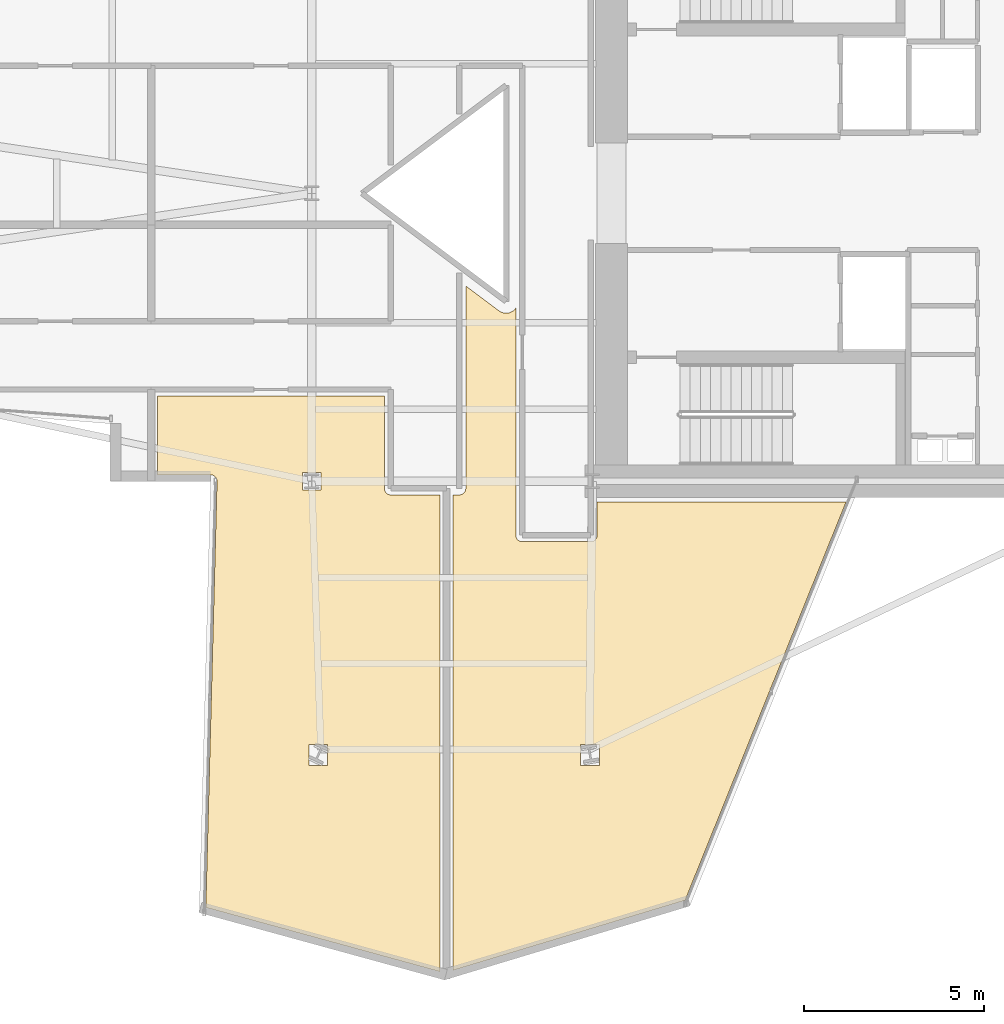
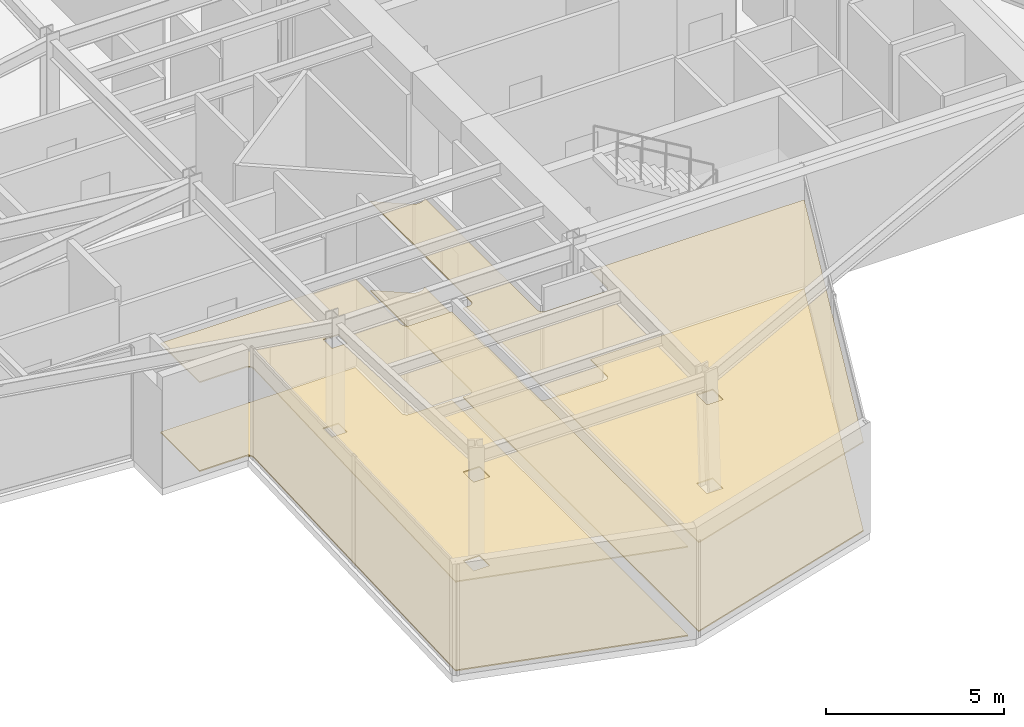
# One storey, part 30 of 31: 4 coverings.
"""IFC4 building model written with IfcOpenShell, lengths in metres."""

from ifc_helpers import new_model, si_unit, direction, frame, origin, place, context, subcontext, project, spatial, polyline, outline, extrude, material, layer, layer_set, type_object, element, save


model = new_model("IFC4")

# Units and contexts
model_context = context("Model", 3, precision=1e-05, world=origin(), true_north=direction((0.0, 1.0)))
body_context = subcontext(model_context, "Body", "Model", "MODEL_VIEW")
ifc_project = project(units=[si_unit("LENGTHUNIT", "METRE"), si_unit("AREAUNIT", "SQUARE_METRE"), si_unit("VOLUMEUNIT", "CUBIC_METRE"), si_unit("PLANEANGLEUNIT", "RADIAN"), si_unit("MASSUNIT", "GRAM", prefix="KILO")], contexts=[model_context])

# Site, building, storey
site_placement = place(None, origin())
site = spatial("IfcSite", under=ifc_project, at=site_placement, CompositionType="ELEMENT")
building_placement = place(site_placement, origin())
building = spatial("IfcBuilding", under=site, at=building_placement, Name="Veymaron Broadcast Tower", CompositionType="ELEMENT")
storey_placement = place(building_placement, frame((0.0, 0.0, 70.199951171875)))
storey = spatial("IfcBuildingStorey", under=building, at=storey_placement, Name="L15", CompositionType="ELEMENT", Elevation=70.199951171875)

# Coverings
ifc_material_1 = material(Name="Perforated acoustic mineral-fibre ceiling tile", Category="gypsum")
ifc_layer_1 = layer(ifc_material_1, 0.0400390625)
ifc_layer_set_1 = layer_set([ifc_layer_1], Name="Perforated acoustic mineral-fibre ceiling tile")
covering_type_1 = type_object("IfcCoveringType", Name="COV-CEIL-ACT", PredefinedType="CEILING", material=ifc_layer_set_1)
covering_1_placement = place(storey_placement, frame((0.0, 0.0, 3.0400390625)))
element("IfcCovering", 1, at=covering_1_placement, inside=storey, type_object=covering_type_1, Name="L15 suspended acoustic ceiling 1", PredefinedType="CEILING", context=body_context, shape_type="SweptSolid", body=[
    extrude(outline(polyline([(28.440185546875, 16.172119140625), (28.422607421875, 16.176513671875), (28.40478515625, 16.17919921875), (28.386962890625, 16.179931640625), (26.91796875, 16.179931640625), (26.91796875, 18.3701171875), (33.219970703125, 18.3701171875), (33.219970703125, 15.800048828125), (33.220947265625, 15.782470703125), (33.223388671875, 15.764892578125), (33.227783203125, 15.747802734375), (33.233642578125, 15.731201171875), (33.2412109375, 15.715087890625), (33.250244140625, 15.699951171875), (33.260986328125, 15.685791015625), (33.272705078125, 15.672607421875), (33.285888671875, 15.660888671875), (33.300048828125, 15.650390625), (33.315185546875, 15.641357421875), (33.3310546875, 15.6337890625), (33.34765625, 15.627685546875), (33.364990234375, 15.62353515625), (33.38232421875, 15.620849609375), (33.39990234375, 15.6201171875), (34.760986328125, 15.6201171875), (34.760986328125, 2.371337890625), (28.25537109375, 4.1552734375), (28.56689453125, 15.995361328125), (28.56640625, 16.01318359375), (28.564208984375, 16.031005859375), (28.560302734375, 16.048583984375), (28.5546875, 16.065673828125), (28.54736328125, 16.08203125), (28.538330078125, 16.097412109375), (28.52783203125, 16.112060546875), (28.515869140625, 16.12548828125), (28.502685546875, 16.1376953125), (28.488525390625, 16.148681640625), (28.47314453125, 16.157958984375), (28.45703125, 16.165771484375), (28.440185546875, 16.172119140625)]), holes=[polyline([(31.1201171875, 8.677001953125), (31.1201171875, 8.10302734375), (31.64404296875, 8.10302734375), (31.64404296875, 8.677001953125), (31.1201171875, 8.677001953125)]), polyline([(30.949462890625, 16.24951171875), (30.949462890625, 15.75048828125), (31.450439453125, 15.75048828125), (31.450439453125, 16.24951171875), (30.949462890625, 16.24951171875)])]), origin(), (0.0, 0.0, 1.0), 0.0400390625),
])
covering_2_placement = place(storey_placement, frame((0.0, 0.0, 3.0400390625)))
element("IfcCovering", 2, at=covering_2_placement, inside=storey, type_object=covering_type_1, Name="L15 suspended acoustic ceiling 2", PredefinedType="CEILING", context=body_context, shape_type="SweptSolid", body=[
    extrude(outline(polyline([(35.4765625, 15.764892578125), (35.47900390625, 15.782470703125), (35.47998046875, 15.800048828125), (35.47998046875, 21.427490234375), (36.402099609375, 20.736083984375), (36.4091796875, 20.73095703125), (36.4208984375, 20.722900390625), (36.435791015625, 20.7138671875), (36.448486328125, 20.70703125), (36.464111328125, 20.699462890625), (36.477294921875, 20.693603515625), (36.49365234375, 20.687744140625), (36.50732421875, 20.683349609375), (36.524169921875, 20.678955078125), (36.5380859375, 20.67578125), (36.555419921875, 20.673095703125), (36.569580078125, 20.67138671875), (36.5869140625, 20.67041015625), (36.601318359375, 20.670166015625), (36.61865234375, 20.670654296875), (36.633056640625, 20.671875), (36.650390625, 20.673828125), (36.66455078125, 20.676513671875), (36.681396484375, 20.680419921875), (36.6953125, 20.68408203125), (36.711669921875, 20.689697265625), (36.72509765625, 20.69482421875), (36.740966796875, 20.701904296875), (36.75390625, 20.708251953125), (36.76904296875, 20.716796875), (36.78125, 20.724365234375), (36.79541015625, 20.734375), (36.806884765625, 20.7431640625), (36.820068359375, 20.75439453125), (36.830810546875, 20.76416015625), (36.8427734375, 20.776611328125), (36.852294921875, 20.787353515625), (36.863037109375, 20.801025390625), (36.8701171875, 20.810546875), (36.8701171875, 14.5), (36.870849609375, 14.482421875), (36.87353515625, 14.46484375), (36.877685546875, 14.44775390625), (36.8837890625, 14.43115234375), (36.891357421875, 14.4150390625), (36.900390625, 14.39990234375), (36.910888671875, 14.3857421875), (36.922607421875, 14.372802734375), (36.935791015625, 14.36083984375), (36.949951171875, 14.350341796875), (36.965087890625, 14.34130859375), (36.981201171875, 14.333740234375), (36.997802734375, 14.327880859375), (37.014892578125, 14.323486328125), (37.032470703125, 14.32080078125), (37.050048828125, 14.320068359375), (38.949951171875, 14.320068359375), (38.967529296875, 14.32080078125), (38.985107421875, 14.323486328125), (39.002197265625, 14.327880859375), (39.018798828125, 14.333740234375), (39.034912109375, 14.34130859375), (39.050048828125, 14.350341796875), (39.064208984375, 14.36083984375), (39.077392578125, 14.372802734375), (39.089111328125, 14.3857421875), (39.099609375, 14.39990234375), (39.108642578125, 14.4150390625), (39.1162109375, 14.43115234375), (39.122314453125, 14.44775390625), (39.12646484375, 14.46484375), (39.129150390625, 14.482421875), (39.1298828125, 14.5), (39.1298828125, 15.419921875), (46.048095703125, 15.419921875), (41.57568359375, 4.353515625), (35.12109375, 2.406494140625), (35.12109375, 15.6201171875), (35.300048828125, 15.6201171875), (35.317626953125, 15.620849609375), (35.335205078125, 15.62353515625), (35.352294921875, 15.627685546875), (35.368896484375, 15.6337890625), (35.385009765625, 15.641357421875), (35.39990234375, 15.650390625), (35.414306640625, 15.660888671875), (35.42724609375, 15.672607421875), (35.439208984375, 15.685791015625), (35.44970703125, 15.699951171875), (35.458740234375, 15.715087890625), (35.46630859375, 15.731201171875), (35.47216796875, 15.747802734375), (35.4765625, 15.764892578125)]), holes=[polyline([(39.197021484375, 8.677001953125), (38.673095703125, 8.677001953125), (38.673095703125, 8.10302734375), (39.197021484375, 8.10302734375), (39.197021484375, 8.677001953125)])]), origin(), (0.0, 0.0, 1.0), 0.0400390625),
])
ifc_material_2 = material(Name="galvanized steel raised access floor panel", Category="steel")
ifc_layer_2 = layer(ifc_material_2, 0.0400390625)
ifc_layer_set_2 = layer_set([ifc_layer_2], Name="galvanized steel raised access floor panel")
covering_type_2 = type_object("IfcCoveringType", Name="COV-FLR-RAF", PredefinedType="FLOORING", material=ifc_layer_set_2)
covering_3_placement = place(storey_placement, origin())
element("IfcCovering", 3, at=covering_3_placement, inside=storey, type_object=covering_type_2, Name="L15 finished flooring 1", PredefinedType="FLOORING", context=body_context, shape_type="SweptSolid", body=[
    extrude(outline(polyline([(28.440185546875, 16.172119140625), (28.422607421875, 16.176513671875), (28.40478515625, 16.17919921875), (28.386962890625, 16.179931640625), (26.91796875, 16.179931640625), (26.91796875, 18.3701171875), (33.219970703125, 18.3701171875), (33.219970703125, 15.800048828125), (33.220947265625, 15.782470703125), (33.223388671875, 15.764892578125), (33.227783203125, 15.747802734375), (33.233642578125, 15.731201171875), (33.2412109375, 15.715087890625), (33.250244140625, 15.699951171875), (33.260986328125, 15.685791015625), (33.272705078125, 15.672607421875), (33.285888671875, 15.660888671875), (33.300048828125, 15.650390625), (33.315185546875, 15.641357421875), (33.3310546875, 15.6337890625), (33.34765625, 15.627685546875), (33.364990234375, 15.62353515625), (33.38232421875, 15.620849609375), (33.39990234375, 15.6201171875), (34.760986328125, 15.6201171875), (34.760986328125, 2.371337890625), (28.25537109375, 4.1552734375), (28.56689453125, 15.995361328125), (28.56640625, 16.01318359375), (28.564208984375, 16.031005859375), (28.560302734375, 16.048583984375), (28.5546875, 16.065673828125), (28.54736328125, 16.08203125), (28.538330078125, 16.097412109375), (28.52783203125, 16.112060546875), (28.515869140625, 16.12548828125), (28.502685546875, 16.1376953125), (28.488525390625, 16.148681640625), (28.47314453125, 16.157958984375), (28.45703125, 16.165771484375), (28.440185546875, 16.172119140625)]), holes=[polyline([(31.1201171875, 8.677001953125), (31.1201171875, 8.10302734375), (31.64404296875, 8.10302734375), (31.64404296875, 8.677001953125), (31.1201171875, 8.677001953125)]), polyline([(30.949462890625, 16.24951171875), (30.949462890625, 15.75048828125), (31.450439453125, 15.75048828125), (31.450439453125, 16.24951171875), (30.949462890625, 16.24951171875)])]), origin(), (0.0, 0.0, 1.0), 0.0400390625),
])
covering_4_placement = place(storey_placement, origin())
element("IfcCovering", 4, at=covering_4_placement, inside=storey, type_object=covering_type_2, Name="L15 finished flooring 2", PredefinedType="FLOORING", context=body_context, shape_type="SweptSolid", body=[
    extrude(outline(polyline([(35.4765625, 15.764892578125), (35.47900390625, 15.782470703125), (35.47998046875, 15.800048828125), (35.47998046875, 21.427490234375), (36.402099609375, 20.736083984375), (36.4091796875, 20.73095703125), (36.4208984375, 20.722900390625), (36.435791015625, 20.7138671875), (36.448486328125, 20.70703125), (36.464111328125, 20.699462890625), (36.477294921875, 20.693603515625), (36.49365234375, 20.687744140625), (36.50732421875, 20.683349609375), (36.524169921875, 20.678955078125), (36.5380859375, 20.67578125), (36.555419921875, 20.673095703125), (36.569580078125, 20.67138671875), (36.5869140625, 20.67041015625), (36.601318359375, 20.670166015625), (36.61865234375, 20.670654296875), (36.633056640625, 20.671875), (36.650390625, 20.673828125), (36.66455078125, 20.676513671875), (36.681396484375, 20.680419921875), (36.6953125, 20.68408203125), (36.711669921875, 20.689697265625), (36.72509765625, 20.69482421875), (36.740966796875, 20.701904296875), (36.75390625, 20.708251953125), (36.76904296875, 20.716796875), (36.78125, 20.724365234375), (36.79541015625, 20.734375), (36.806884765625, 20.7431640625), (36.820068359375, 20.75439453125), (36.830810546875, 20.76416015625), (36.8427734375, 20.776611328125), (36.852294921875, 20.787353515625), (36.863037109375, 20.801025390625), (36.8701171875, 20.810546875), (36.8701171875, 14.5), (36.870849609375, 14.482421875), (36.87353515625, 14.46484375), (36.877685546875, 14.44775390625), (36.8837890625, 14.43115234375), (36.891357421875, 14.4150390625), (36.900390625, 14.39990234375), (36.910888671875, 14.3857421875), (36.922607421875, 14.372802734375), (36.935791015625, 14.36083984375), (36.949951171875, 14.350341796875), (36.965087890625, 14.34130859375), (36.981201171875, 14.333740234375), (36.997802734375, 14.327880859375), (37.014892578125, 14.323486328125), (37.032470703125, 14.32080078125), (37.050048828125, 14.320068359375), (38.949951171875, 14.320068359375), (38.967529296875, 14.32080078125), (38.985107421875, 14.323486328125), (39.002197265625, 14.327880859375), (39.018798828125, 14.333740234375), (39.034912109375, 14.34130859375), (39.050048828125, 14.350341796875), (39.064208984375, 14.36083984375), (39.077392578125, 14.372802734375), (39.089111328125, 14.3857421875), (39.099609375, 14.39990234375), (39.108642578125, 14.4150390625), (39.1162109375, 14.43115234375), (39.122314453125, 14.44775390625), (39.12646484375, 14.46484375), (39.129150390625, 14.482421875), (39.1298828125, 14.5), (39.1298828125, 15.419921875), (46.048095703125, 15.419921875), (41.57568359375, 4.353515625), (35.12109375, 2.406494140625), (35.12109375, 15.6201171875), (35.300048828125, 15.6201171875), (35.317626953125, 15.620849609375), (35.335205078125, 15.62353515625), (35.352294921875, 15.627685546875), (35.368896484375, 15.6337890625), (35.385009765625, 15.641357421875), (35.39990234375, 15.650390625), (35.414306640625, 15.660888671875), (35.42724609375, 15.672607421875), (35.439208984375, 15.685791015625), (35.44970703125, 15.699951171875), (35.458740234375, 15.715087890625), (35.46630859375, 15.731201171875), (35.47216796875, 15.747802734375), (35.4765625, 15.764892578125)]), holes=[polyline([(39.197021484375, 8.677001953125), (38.673095703125, 8.677001953125), (38.673095703125, 8.10302734375), (39.197021484375, 8.10302734375), (39.197021484375, 8.677001953125)])]), origin(), (0.0, 0.0, 1.0), 0.0400390625),
])

save(model, "model.ifc")
